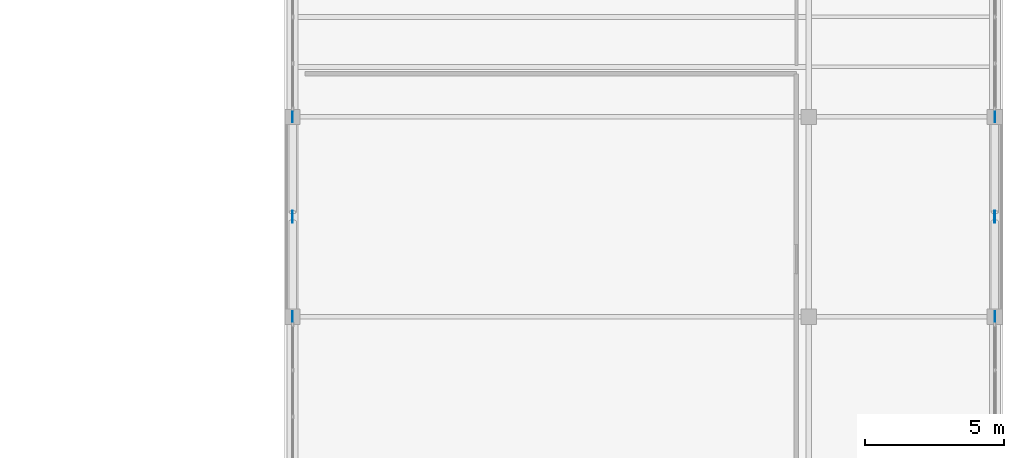
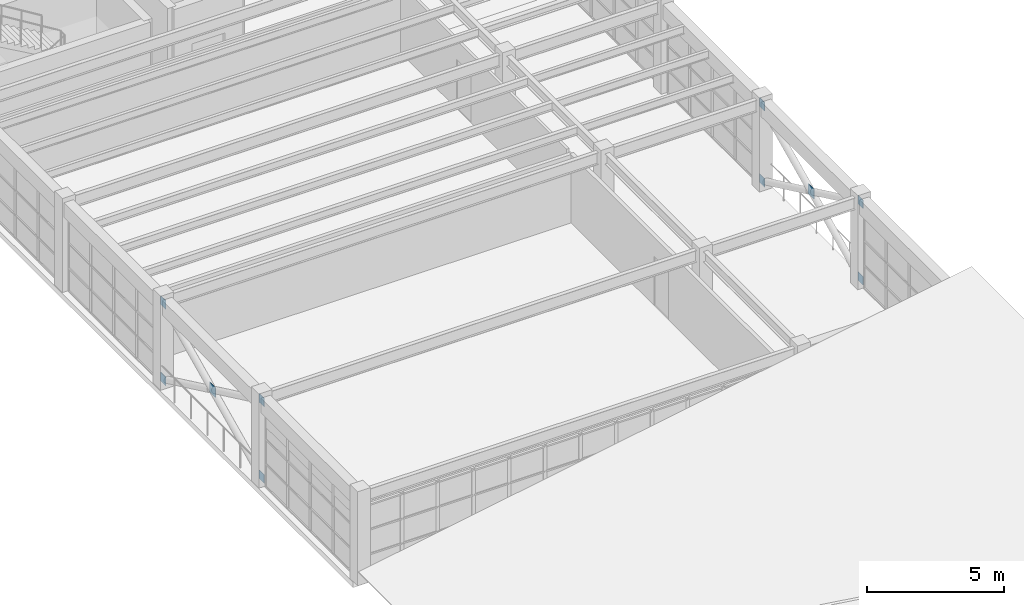
# One storey, part 52 of 66: 10 plates.
"""IFC4 building model written with IfcOpenShell, lengths in metres."""

from ifc_helpers import new_model, si_unit, direction, frame, origin, origin_2d, place, context, subcontext, project, spatial, rectangle, extrude, material, layer, layer_set, type_object, element, save


model = new_model("IFC4")

# Units and contexts
model_context = context("Model", 3, precision=1e-05, world=origin(), true_north=direction((0.0, 1.0)))
body_context = subcontext(model_context, "Body", "Model", "MODEL_VIEW")
ifc_project = project(units=[si_unit("LENGTHUNIT", "METRE"), si_unit("AREAUNIT", "SQUARE_METRE"), si_unit("VOLUMEUNIT", "CUBIC_METRE"), si_unit("PLANEANGLEUNIT", "RADIAN"), si_unit("MASSUNIT", "GRAM", prefix="KILO")], contexts=[model_context])

# Site, building, storey
site_placement = place(None, origin())
site = spatial("IfcSite", under=ifc_project, at=site_placement, CompositionType="ELEMENT")
building_placement = place(site_placement, origin())
building = spatial("IfcBuilding", under=site, at=building_placement, Name="Candilejo Ridge Gondola Terminal", CompositionType="ELEMENT")
storey_placement = place(building_placement, frame((0.0, 0.0, 14.39990234375)))
storey = spatial("IfcBuildingStorey", under=building, at=storey_placement, Name="L03", CompositionType="ELEMENT", Elevation=14.39990234375)

# Plates
ifc_material_1 = material(Name="Steel ASTM A572 Grade 50", Category="steel")
ifc_layer_1 = layer(ifc_material_1, 0.02001953125)
ifc_layer_set_1 = layer_set([ifc_layer_1], Name="STR-NODE-PLATE-380X380X20")
plate_type_1 = type_object("IfcPlateType", Name="STR-NODE-PLATE-380X380X20", PredefinedType="USERDEFINED", material=ifc_layer_set_1)
for number, where, z_axis, x_axis, name in (
    (1, (150.0, 77.449951171875, 0.06005859375), (0.0, 0.0, 1.0), (1.0, 0.0, 0.0), "X-brace corner gusset plate 243"),
    (2, (150.0, 84.64990234375, 0.06005859375), (0.0, 0.0, 1.0), (1.0, 0.0, 0.0), "X-brace corner gusset plate 244"),
    (3, (150.0, 77.449951171875, 3.47509765625), (0.0, 0.0, 1.0), (1.0, 0.0, 0.0), "X-brace corner gusset plate 245"),
    (4, (150.0, 84.64990234375, 3.47509765625), (0.0, 0.0, 1.0), (1.0, 0.0, 0.0), "X-brace corner gusset plate 246"),
    (5, (175.300048828125, 77.449951171875, 0.06005859375), (0.0, 0.0, 1.0), (1.0, 0.0, 0.0), "X-brace corner gusset plate 254"),
    (6, (175.300048828125, 84.64990234375, 0.06005859375), (0.0, 0.0, 1.0), (1.0, 0.0, 0.0), "X-brace corner gusset plate 255"),
    (7, (175.300048828125, 77.449951171875, 3.47509765625), (0.0, 0.0, 1.0), (1.0, 0.0, 0.0), "X-brace corner gusset plate 256"),
    (8, (175.300048828125, 84.64990234375, 3.47509765625), (0.0, 0.0, 1.0), (1.0, 0.0, 0.0), "X-brace corner gusset plate 257"),
):
    element("IfcPlate", number, at=place(storey_placement, frame(where, z_axis=z_axis, x_axis=x_axis)), inside=storey, type_object=plate_type_1, Name=name, ObjectType="NODE PLATE", PredefinedType="USERDEFINED", context=body_context, shape_type="SweptSolid", body=[
        extrude(rectangle(XDim=0.02001953125, YDim=0.3798828125, at=origin_2d()), origin(), (0.0, 0.0, 1.0), 0.3798828125),
    ])
ifc_material_2 = material(Name="Steel ASTM A572 Grade 50", Category="steel")
ifc_layer_2 = layer(ifc_material_2, 0.02392578125)
ifc_layer_set_2 = layer_set([ifc_layer_2], Name="STR-NODE-PLATE-440X440X24")
plate_type_2 = type_object("IfcPlateType", Name="STR-NODE-PLATE-440X440X24", PredefinedType="USERDEFINED", material=ifc_layer_set_2)
for number, where, z_axis, x_axis, name in (
    (9, (150.0, 81.050048828125, 1.737548828125), (0.0, 0.0, 1.0), (1.0, 0.0, 0.0), "X-brace central crossing gusset plate 242"),
    (10, (175.300048828125, 81.050048828125, 1.737548828125), (0.0, 0.0, 1.0), (1.0, 0.0, 0.0), "X-brace central crossing gusset plate 253"),
):
    element("IfcPlate", number, at=place(storey_placement, frame(where, z_axis=z_axis, x_axis=x_axis)), inside=storey, type_object=plate_type_2, Name=name, ObjectType="NODE PLATE", PredefinedType="USERDEFINED", context=body_context, shape_type="SweptSolid", body=[
        extrude(rectangle(XDim=0.02392578125, YDim=0.43994140625, at=origin_2d()), origin(), (0.0, 0.0, 1.0), 0.43994140625),
    ])

save(model, "model.ifc")
